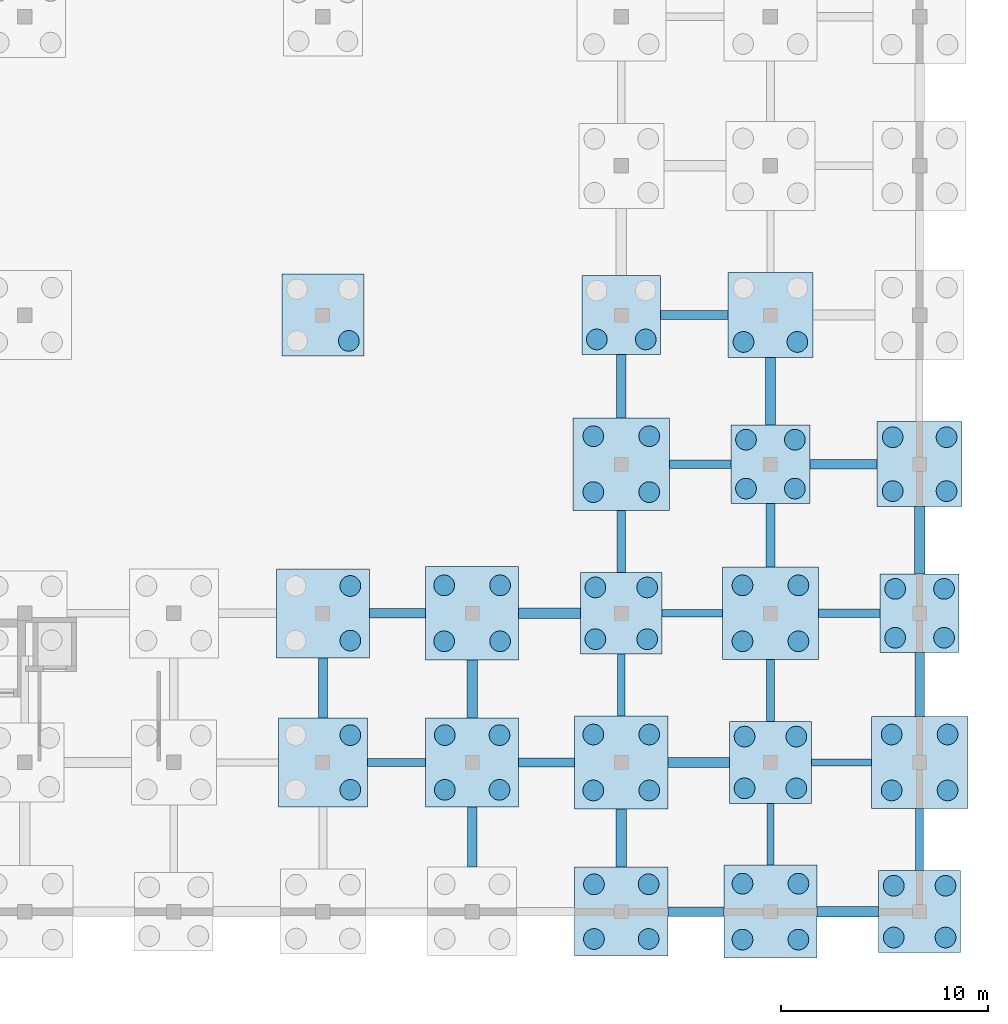
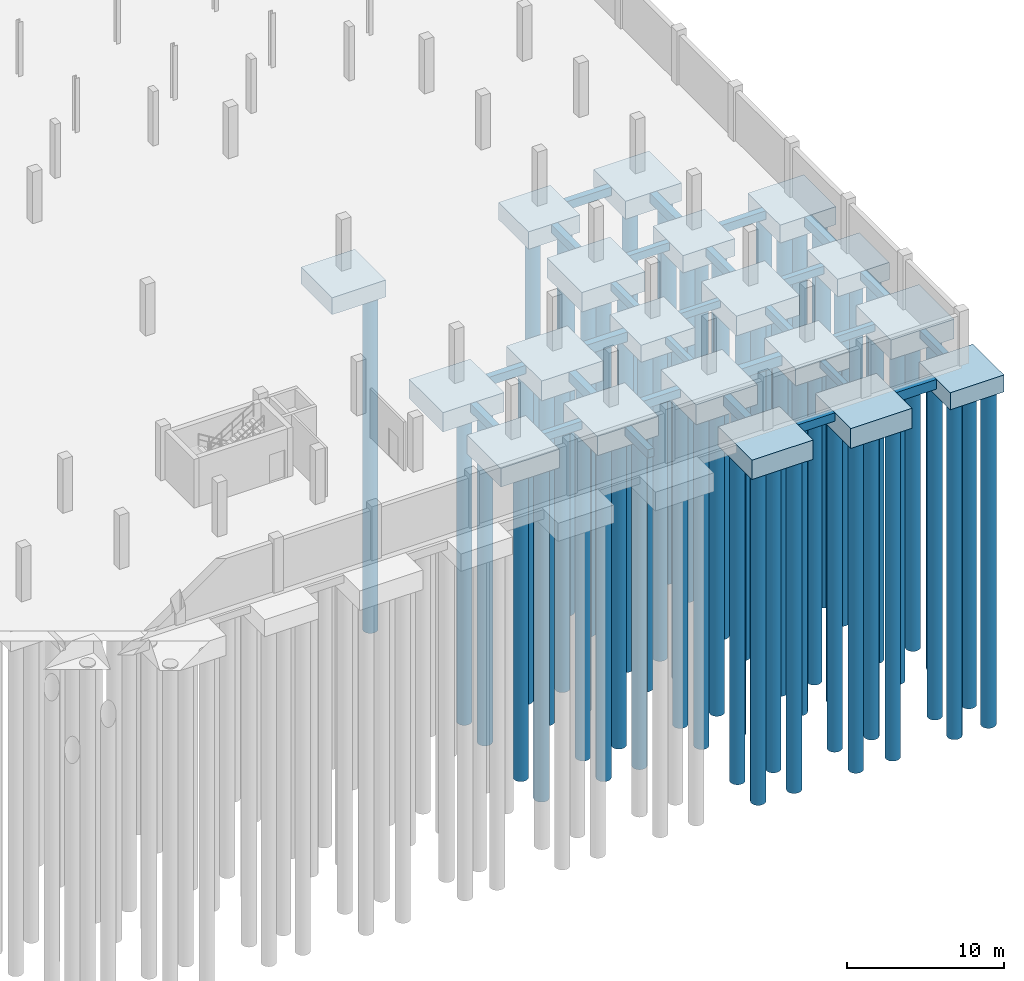
# One storey, part 13 of 56: 65 piles, 46 footings.
"""IFC4 building model written with IfcOpenShell, lengths in metres."""

from ifc_helpers import new_model, si_unit, direction, frame, origin, origin_2d, place, context, subcontext, project, spatial, rectangle, circle, extrude, material, material_profile, profile_set, type_object, element, save


model = new_model("IFC4")

# Units and contexts
model_context = context("Model", 3, precision=1e-05, world=origin(), true_north=direction((0.0, 1.0)))
body_context = subcontext(model_context, "Body", "Model", "MODEL_VIEW")
ifc_project = project(units=[si_unit("LENGTHUNIT", "METRE"), si_unit("AREAUNIT", "SQUARE_METRE"), si_unit("VOLUMEUNIT", "CUBIC_METRE"), si_unit("PLANEANGLEUNIT", "RADIAN"), si_unit("MASSUNIT", "GRAM", prefix="KILO")], contexts=[model_context])

# Site, building, storey
site_placement = place(None, origin())
site = spatial("IfcSite", under=ifc_project, at=site_placement, CompositionType="ELEMENT")
building_placement = place(site_placement, origin())
building = spatial("IfcBuilding", under=site, at=building_placement, Name="Suanplinth Sawtooth Commons", CompositionType="ELEMENT")
storey_placement = place(building_placement, frame((0.0, 0.0, -4.199951171875)))
storey = spatial("IfcBuildingStorey", under=building, at=storey_placement, Name="B1", CompositionType="ELEMENT", Elevation=-4.199951171875)

# Footings
ifc_material_1 = material(Name="Concrete C35/45", Category="concrete")
ifc_material_profile_1 = material_profile(ifc_material_1, rectangle(XDim=0.449951171875, YDim=0.64990234375, at=origin_2d()), Name="PC-GDR 450x650")
ifc_profile_set_1 = profile_set([ifc_material_profile_1], Name="Concrete C35/45")
footing_type_1 = type_object("IfcFootingType", Name="FB-01", PredefinedType="FOOTING_BEAM", material=ifc_profile_set_1)
footing_1_placement = place(storey_placement, frame((158.39990234375, 9.35009765625, -0.824951171875), z_axis=(0.0, 1.0, 0.0), x_axis=(-1.0, 0.0, 0.0)))
element("IfcFooting", 1, at=footing_1_placement, inside=storey, type_object=footing_type_1, Name="Foundation Tie Beam 23/B-C", PredefinedType="FOOTING_BEAM", context=body_context, shape_type="SweptSolid", body=[
    extrude(rectangle(XDim=0.449951171875, YDim=0.64990234375, at=origin_2d()), origin(), (0.0, 0.0, 1.0), 2.89990234375),
])
footing_2_placement = place(storey_placement, frame((160.64990234375, 14.39990234375, -0.824951171875), z_axis=(1.0, 0.0, 0.0), x_axis=(0.0, 1.0, 0.0)))
element("IfcFooting", 2, at=footing_2_placement, inside=storey, type_object=footing_type_1, Name="Foundation Tie Beam 23-24/C", PredefinedType="FOOTING_BEAM", context=body_context, shape_type="SweptSolid", body=[
    extrude(rectangle(XDim=0.449951171875, YDim=0.64990234375, at=origin_2d()), origin(), (0.0, 0.0, 1.0), 2.7001953125),
])
footing_3_placement = place(storey_placement, frame((165.60009765625, 2.14990234375, -0.824951171875), z_axis=(0.0, 1.0, 0.0), x_axis=(-1.0, 0.0, 0.0)))
element("IfcFooting", 3, at=footing_3_placement, inside=storey, type_object=footing_type_1, Name="Foundation Tie Beam 24/A-B", PredefinedType="FOOTING_BEAM", context=body_context, shape_type="SweptSolid", body=[
    extrude(rectangle(XDim=0.449951171875, YDim=0.64990234375, at=origin_2d()), origin(), (0.0, 0.0, 1.0), 2.900146484375),
])
for number, where, z_axis, x_axis, name in (
    (4, (167.85009765625, 7.199951171875, -0.824951171875), (1.0, 0.0, 0.0), (0.0, 1.0, 0.0), "Foundation Tie Beam 24-25/B"),
    (5, (175.050048828125, 0.0, -0.824951171875), (1.0, 0.0, 0.0), (0.0, 1.0, 0.0), "Foundation Tie Beam 25-26/A"),
):
    element("IfcFooting", number, at=place(storey_placement, frame(where, z_axis=z_axis, x_axis=x_axis)), inside=storey, type_object=footing_type_1, Name=name, PredefinedType="FOOTING_BEAM", context=body_context, shape_type="SweptSolid", body=[
        extrude(rectangle(XDim=0.449951171875, YDim=0.64990234375, at=origin_2d()), origin(), (0.0, 0.0, 1.0), 2.699951171875),
    ])
footing_4_placement = place(storey_placement, frame((172.800048828125, 23.824951171875, -0.824951171875), z_axis=(0.0, 1.0, 0.0), x_axis=(-1.0, 0.0, 0.0)))
element("IfcFooting", 6, at=footing_4_placement, inside=storey, type_object=footing_type_1, Name="Foundation Tie Beam 25/D-E", PredefinedType="FOOTING_BEAM", context=body_context, shape_type="SweptSolid", body=[
    extrude(rectangle(XDim=0.449951171875, YDim=0.64990234375, at=origin_2d()), origin(), (0.0, 0.0, 1.0), 3.074951171875),
])
footing_5_placement = place(storey_placement, frame((174.699951171875, 28.800048828125, -0.824951171875), z_axis=(1.0, 0.0, 0.0), x_axis=(0.0, 1.0, 0.0)))
element("IfcFooting", 7, at=footing_5_placement, inside=storey, type_object=footing_type_1, Name="Foundation Tie Beam 25-26/E", PredefinedType="FOOTING_BEAM", context=body_context, shape_type="SweptSolid", body=[
    extrude(rectangle(XDim=0.449951171875, YDim=0.64990234375, at=origin_2d()), origin(), (0.0, 0.0, 1.0), 3.25),
])
footing_6_placement = place(storey_placement, frame((180.0, 16.625, -0.824951171875), z_axis=(0.0, 1.0, 0.0), x_axis=(-1.0, 0.0, 0.0)))
element("IfcFooting", 8, at=footing_6_placement, inside=storey, type_object=footing_type_1, Name="Foundation Tie Beam 26/C-D", PredefinedType="FOOTING_BEAM", context=body_context, shape_type="SweptSolid", body=[
    extrude(rectangle(XDim=0.449951171875, YDim=0.64990234375, at=origin_2d()), origin(), (0.0, 0.0, 1.0), 3.074951171875),
])
footing_7_placement = place(storey_placement, frame((181.89990234375, 21.60009765625, -0.824951171875), z_axis=(1.0, 0.0, 0.0), x_axis=(0.0, 1.0, 0.0)))
element("IfcFooting", 9, at=footing_7_placement, inside=storey, type_object=footing_type_1, Name="Foundation Tie Beam 26-27/D", PredefinedType="FOOTING_BEAM", context=body_context, shape_type="SweptSolid", body=[
    extrude(rectangle(XDim=0.449951171875, YDim=0.64990234375, at=origin_2d()), origin(), (0.0, 0.0, 1.0), 3.25),
])
footing_8_placement = place(storey_placement, frame((187.199951171875, 9.425048828125, -0.824951171875), z_axis=(0.0, 1.0, 0.0), x_axis=(-1.0, 0.0, 0.0)))
element("IfcFooting", 10, at=footing_8_placement, inside=storey, type_object=footing_type_1, Name="Foundation Tie Beam 27/B-C", PredefinedType="FOOTING_BEAM", context=body_context, shape_type="SweptSolid", body=[
    extrude(rectangle(XDim=0.449951171875, YDim=0.64990234375, at=origin_2d()), origin(), (0.0, 0.0, 1.0), 3.074951171875),
])
ifc_material_profile_2 = material_profile(ifc_material_1, rectangle(XDim=0.5, YDim=0.75, at=origin_2d()), Name="RC-GDR 500x750")
ifc_profile_set_2 = profile_set([ifc_material_profile_2], Name="Concrete C35/45")
footing_type_2 = type_object("IfcFootingType", Name="FB-02", PredefinedType="FOOTING_BEAM", material=ifc_profile_set_2)
footing_9_placement = place(storey_placement, frame((165.60009765625, 9.35009765625, -0.875), z_axis=(0.0, 1.0, 0.0), x_axis=(-1.0, 0.0, 0.0)))
element("IfcFooting", 11, at=footing_9_placement, inside=storey, type_object=footing_type_2, Name="Foundation Tie Beam 24/B-C", PredefinedType="FOOTING_BEAM", context=body_context, shape_type="SweptSolid", body=[
    extrude(rectangle(XDim=0.5, YDim=0.75, at=origin_2d()), origin(), (0.0, 0.0, 1.0), 2.7998046875),
])
footing_10_placement = place(storey_placement, frame((167.85009765625, 14.39990234375, -0.875), z_axis=(1.0, 0.0, 0.0), x_axis=(0.0, 1.0, 0.0)))
element("IfcFooting", 12, at=footing_10_placement, inside=storey, type_object=footing_type_2, Name="Foundation Tie Beam 24-25/C", PredefinedType="FOOTING_BEAM", context=body_context, shape_type="SweptSolid", body=[
    extrude(rectangle(XDim=0.5, YDim=0.75, at=origin_2d()), origin(), (0.0, 0.0, 1.0), 2.974853515625),
])
footing_11_placement = place(storey_placement, frame((172.800048828125, 2.14990234375, -0.875), z_axis=(0.0, 1.0, 0.0), x_axis=(-1.0, 0.0, 0.0)))
element("IfcFooting", 13, at=footing_11_placement, inside=storey, type_object=footing_type_2, Name="Foundation Tie Beam 25/A-B", PredefinedType="FOOTING_BEAM", context=body_context, shape_type="SweptSolid", body=[
    extrude(rectangle(XDim=0.5, YDim=0.75, at=origin_2d()), origin(), (0.0, 0.0, 1.0), 2.800048828125),
])
footing_12_placement = place(storey_placement, frame((175.050048828125, 7.199951171875, -0.875), z_axis=(1.0, 0.0, 0.0), x_axis=(0.0, 1.0, 0.0)))
element("IfcFooting", 14, at=footing_12_placement, inside=storey, type_object=footing_type_2, Name="Foundation Tie Beam 25-26/B", PredefinedType="FOOTING_BEAM", context=body_context, shape_type="SweptSolid", body=[
    extrude(rectangle(XDim=0.5, YDim=0.75, at=origin_2d()), origin(), (0.0, 0.0, 1.0), 2.974853515625),
])
footing_13_placement = place(storey_placement, frame((182.25, 0.0, -0.875), z_axis=(1.0, 0.0, 0.0), x_axis=(0.0, 1.0, 0.0)))
element("IfcFooting", 15, at=footing_13_placement, inside=storey, type_object=footing_type_2, Name="Foundation Tie Beam 26-27/A", PredefinedType="FOOTING_BEAM", context=body_context, shape_type="SweptSolid", body=[
    extrude(rectangle(XDim=0.5, YDim=0.75, at=origin_2d()), origin(), (0.0, 0.0, 1.0), 2.97509765625),
])
for number, where, z_axis, x_axis, name in (
    (16, (180.0, 23.5, -0.875), (0.0, 1.0, 0.0), (-1.0, 0.0, 0.0), "Foundation Tie Beam 26/D-E"),
    (17, (187.199951171875, 16.300048828125, -0.875), (0.0, 1.0, 0.0), (-1.0, 0.0, 0.0), "Foundation Tie Beam 27/C-D"),
):
    element("IfcFooting", number, at=place(storey_placement, frame(where, z_axis=z_axis, x_axis=x_axis)), inside=storey, type_object=footing_type_2, Name=name, PredefinedType="FOOTING_BEAM", context=body_context, shape_type="SweptSolid", body=[
        extrude(rectangle(XDim=0.5, YDim=0.75, at=origin_2d()), origin(), (0.0, 0.0, 1.0), 3.25),
    ])
ifc_material_profile_3 = material_profile(ifc_material_1, rectangle(XDim=0.35009765625, YDim=0.550048828125, at=origin_2d()), Name="PC-BM 350x550")
ifc_profile_set_3 = profile_set([ifc_material_profile_3], Name="Concrete C35/45")
footing_type_3 = type_object("IfcFootingType", Name="FB-03", PredefinedType="FOOTING_BEAM", material=ifc_profile_set_3)
footing_14_placement = place(storey_placement, frame((172.800048828125, 9.449951171875, -0.775146484375), z_axis=(0.0, 1.0, 0.0), x_axis=(-1.0, 0.0, 0.0)))
element("IfcFooting", 18, at=footing_14_placement, inside=storey, type_object=footing_type_3, Name="Foundation Tie Beam 25/B-C", PredefinedType="FOOTING_BEAM", context=body_context, shape_type="SweptSolid", body=[
    extrude(rectangle(XDim=0.35009765625, YDim=0.550048828125, at=origin_2d()), origin(), (0.0, 0.0, 1.0), 2.97509765625),
])
footing_15_placement = place(storey_placement, frame((174.77490234375, 14.39990234375, -0.775146484375), z_axis=(1.0, 0.0, 0.0), x_axis=(0.0, 1.0, 0.0)))
element("IfcFooting", 19, at=footing_15_placement, inside=storey, type_object=footing_type_3, Name="Foundation Tie Beam 25-26/C", PredefinedType="FOOTING_BEAM", context=body_context, shape_type="SweptSolid", body=[
    extrude(rectangle(XDim=0.35009765625, YDim=0.550048828125, at=origin_2d()), origin(), (0.0, 0.0, 1.0), 2.900146484375),
])
footing_16_placement = place(storey_placement, frame((180.0, 2.25, -0.775146484375), z_axis=(0.0, 1.0, 0.0), x_axis=(-1.0, 0.0, 0.0)))
element("IfcFooting", 20, at=footing_16_placement, inside=storey, type_object=footing_type_3, Name="Foundation Tie Beam 26/A-B", PredefinedType="FOOTING_BEAM", context=body_context, shape_type="SweptSolid", body=[
    extrude(rectangle(XDim=0.35009765625, YDim=0.550048828125, at=origin_2d()), origin(), (0.0, 0.0, 1.0), 2.97509765625),
])
footing_17_placement = place(storey_placement, frame((181.97509765625, 7.199951171875, -0.775146484375), z_axis=(1.0, 0.0, 0.0), x_axis=(0.0, 1.0, 0.0)))
element("IfcFooting", 21, at=footing_17_placement, inside=storey, type_object=footing_type_3, Name="Foundation Tie Beam 26-27/B", PredefinedType="FOOTING_BEAM", context=body_context, shape_type="SweptSolid", body=[
    extrude(rectangle(XDim=0.35009765625, YDim=0.550048828125, at=origin_2d()), origin(), (0.0, 0.0, 1.0), 2.89990234375),
])
ifc_material_profile_4 = material_profile(ifc_material_1, rectangle(XDim=0.39990234375, YDim=0.60009765625, at=origin_2d()), Name="PC-GDR 400x600")
ifc_profile_set_4 = profile_set([ifc_material_profile_4], Name="Concrete C35/45")
footing_type_4 = type_object("IfcFootingType", Name="FB-04", PredefinedType="FOOTING_BEAM", material=ifc_profile_set_4)
footing_18_placement = place(storey_placement, frame((160.550048828125, 7.199951171875, -0.800048828125), z_axis=(1.0, 0.0, 0.0), x_axis=(0.0, 1.0, 0.0)))
element("IfcFooting", 22, at=footing_18_placement, inside=storey, type_object=footing_type_4, Name="Foundation Tie Beam 23-24/B", PredefinedType="FOOTING_BEAM", context=body_context, shape_type="SweptSolid", body=[
    extrude(rectangle(XDim=0.39990234375, YDim=0.60009765625, at=origin_2d()), origin(), (0.0, 0.0, 1.0), 2.800048828125),
])
footing_19_placement = place(storey_placement, frame((172.800048828125, 16.375, -0.800048828125), z_axis=(0.0, 1.0, 0.0), x_axis=(-1.0, 0.0, 0.0)))
element("IfcFooting", 23, at=footing_19_placement, inside=storey, type_object=footing_type_4, Name="Foundation Tie Beam 25/C-D", PredefinedType="FOOTING_BEAM", context=body_context, shape_type="SweptSolid", body=[
    extrude(rectangle(XDim=0.39990234375, YDim=0.60009765625, at=origin_2d()), origin(), (0.0, 0.0, 1.0), 3.0),
])
footing_20_placement = place(storey_placement, frame((175.125, 21.60009765625, -0.800048828125), z_axis=(1.0, 0.0, 0.0), x_axis=(0.0, 1.0, 0.0)))
element("IfcFooting", 24, at=footing_20_placement, inside=storey, type_object=footing_type_4, Name="Foundation Tie Beam 25-26/D", PredefinedType="FOOTING_BEAM", context=body_context, shape_type="SweptSolid", body=[
    extrude(rectangle(XDim=0.39990234375, YDim=0.60009765625, at=origin_2d()), origin(), (0.0, 0.0, 1.0), 2.97509765625),
])
footing_21_placement = place(storey_placement, frame((180.0, 9.175048828125, -0.800048828125), z_axis=(0.0, 1.0, 0.0), x_axis=(-1.0, 0.0, 0.0)))
element("IfcFooting", 25, at=footing_21_placement, inside=storey, type_object=footing_type_4, Name="Foundation Tie Beam 26/B-C", PredefinedType="FOOTING_BEAM", context=body_context, shape_type="SweptSolid", body=[
    extrude(rectangle(XDim=0.39990234375, YDim=0.60009765625, at=origin_2d()), origin(), (0.0, 0.0, 1.0), 3.0),
])
footing_22_placement = place(storey_placement, frame((182.324951171875, 14.39990234375, -0.800048828125), z_axis=(1.0, 0.0, 0.0), x_axis=(0.0, 1.0, 0.0)))
element("IfcFooting", 26, at=footing_22_placement, inside=storey, type_object=footing_type_4, Name="Foundation Tie Beam 26-27/C", PredefinedType="FOOTING_BEAM", context=body_context, shape_type="SweptSolid", body=[
    extrude(rectangle(XDim=0.39990234375, YDim=0.60009765625, at=origin_2d()), origin(), (0.0, 0.0, 1.0), 2.97509765625),
])
footing_23_placement = place(storey_placement, frame((187.199951171875, 1.97509765625, -0.800048828125), z_axis=(0.0, 1.0, 0.0), x_axis=(-1.0, 0.0, 0.0)))
element("IfcFooting", 27, at=footing_23_placement, inside=storey, type_object=footing_type_4, Name="Foundation Tie Beam 27/A-B", PredefinedType="FOOTING_BEAM", context=body_context, shape_type="SweptSolid", body=[
    extrude(rectangle(XDim=0.39990234375, YDim=0.60009765625, at=origin_2d()), origin(), (0.0, 0.0, 1.0), 3.0),
])
footing_type_5 = type_object("IfcFootingType", Name="FC-06", PredefinedType="PILE_CAP", material=ifc_material_1)
for number, where, z_axis, x_axis, name in (
    (28, (172.800048828125, 28.800048828125, -1.85009765625), (0.0, 0.0, 1.0), (1.0, 0.0, 0.0), "Pile Cap 25/E"),
    (29, (180.0, 21.60009765625, -1.85009765625), (0.0, 0.0, 1.0), (1.0, 0.0, 0.0), "Pile Cap 26/D"),
    (30, (187.199951171875, 14.39990234375, -1.85009765625), (0.0, 0.0, 1.0), (1.0, 0.0, 0.0), "Pile Cap 27/C"),
):
    element("IfcFooting", number, at=place(storey_placement, frame(where, z_axis=z_axis, x_axis=x_axis)), inside=storey, type_object=footing_type_5, Name=name, PredefinedType="PILE_CAP", context=body_context, shape_type="SweptSolid", body=[
        extrude(rectangle(XDim=3.800048828125, YDim=3.800048828125, at=origin_2d()), origin(), (0.0, 0.0, 1.0), 1.35009765625),
    ])
footing_type_6 = type_object("IfcFootingType", Name="FC-07", PredefinedType="PILE_CAP", material=ifc_material_1)
for number, where, z_axis, x_axis, name in (
    (31, (180.0, 28.800048828125, -1.89990234375), (0.0, 0.0, 1.0), (1.0, 0.0, 0.0), "Pile Cap 26/E"),
    (32, (187.199951171875, 21.60009765625, -1.89990234375), (0.0, 0.0, 1.0), (1.0, 0.0, 0.0), "Pile Cap 27/D"),
):
    element("IfcFooting", number, at=place(storey_placement, frame(where, z_axis=z_axis, x_axis=x_axis)), inside=storey, type_object=footing_type_6, Name=name, PredefinedType="PILE_CAP", context=body_context, shape_type="SweptSolid", body=[
        extrude(rectangle(XDim=4.10009765625, YDim=4.10009765625, at=origin_2d()), origin(), (0.0, 0.0, 1.0), 1.39990234375),
    ])
footing_type_7 = type_object("IfcFootingType", Name="FC-08", PredefinedType="PILE_CAP", material=ifc_material_1)
footing_24_placement = place(storey_placement, frame((158.39990234375, 7.199951171875, -1.9501953125), z_axis=(0.0, 0.0, 1.0), x_axis=(1.0, 0.0, 0.0)))
element("IfcFooting", 33, at=footing_24_placement, inside=storey, type_object=footing_type_7, Name="Pile Cap 23/B", PredefinedType="PILE_CAP", context=body_context, shape_type="SweptSolid", body=[
    extrude(rectangle(XDim=4.300048828125, YDim=4.300048828125, at=origin_2d()), origin(), (0.0, 0.0, 1.0), 1.449951171875),
])
footing_type_8 = type_object("IfcFootingType", Name="FC-09", PredefinedType="PILE_CAP", material=ifc_material_1)
for number, where, z_axis, x_axis, name in (
    (34, (158.39990234375, 14.39990234375, -2.0), (0.0, 0.0, 1.0), (1.0, 0.0, 0.0), "Pile Cap 23/C"),
    (35, (165.60009765625, 7.199951171875, -2.0), (0.0, 0.0, 1.0), (1.0, 0.0, 0.0), "Pile Cap 24/B"),
    (36, (172.800048828125, 0.0, -2.0), (0.0, 0.0, 1.0), (1.0, 0.0, 0.0), "Pile Cap 25/A"),
):
    element("IfcFooting", number, at=place(storey_placement, frame(where, z_axis=z_axis, x_axis=x_axis)), inside=storey, type_object=footing_type_8, Name=name, PredefinedType="PILE_CAP", context=body_context, shape_type="SweptSolid", body=[
        extrude(rectangle(XDim=4.5, YDim=4.300048828125, at=origin_2d()), origin(), (0.0, 0.0, 1.0), 1.5),
    ])
footing_type_9 = type_object("IfcFootingType", Name="FC-10", PredefinedType="PILE_CAP", material=ifc_material_1)
for number, where, z_axis, x_axis, name in (
    (37, (165.60009765625, 14.39990234375, -2.05029296875), (0.0, 0.0, 1.0), (1.0, 0.0, 0.0), "Pile Cap 24/C"),
    (38, (172.800048828125, 7.199951171875, -2.05029296875), (0.0, 0.0, 1.0), (1.0, 0.0, 0.0), "Pile Cap 25/B"),
    (39, (180.0, 0.0, -2.05029296875), (0.0, 0.0, 1.0), (1.0, 0.0, 0.0), "Pile Cap 26/A"),
):
    element("IfcFooting", number, at=place(storey_placement, frame(where, z_axis=z_axis, x_axis=x_axis)), inside=storey, type_object=footing_type_9, Name=name, PredefinedType="PILE_CAP", context=body_context, shape_type="SweptSolid", body=[
        extrude(rectangle(XDim=4.5, YDim=4.5, at=origin_2d()), origin(), (0.0, 0.0, 1.0), 1.550048828125),
    ])
footing_type_10 = type_object("IfcFootingType", Name="FC-15", PredefinedType="PILE_CAP", material=ifc_material_1)
for number, where, z_axis, x_axis, name in (
    (40, (158.39990234375, 28.800048828125, -1.8203125), (0.0, 0.0, 1.0), (1.0, 0.0, 0.0), "Pile Cap 23/E"),
    (41, (172.800048828125, 14.39990234375, -1.8203125), (0.0, 0.0, 1.0), (1.0, 0.0, 0.0), "Pile Cap 25/C"),
    (42, (180.0, 7.199951171875, -1.8203125), (0.0, 0.0, 1.0), (1.0, 0.0, 0.0), "Pile Cap 26/B"),
    (43, (187.199951171875, 0.0, -1.8203125), (0.0, 0.0, 1.0), (1.0, 0.0, 0.0), "Pile Cap 27/A"),
):
    element("IfcFooting", number, at=place(storey_placement, frame(where, z_axis=z_axis, x_axis=x_axis)), inside=storey, type_object=footing_type_10, Name=name, PredefinedType="PILE_CAP", context=body_context, shape_type="SweptSolid", body=[
        extrude(rectangle(XDim=3.949951171875, YDim=3.949951171875, at=origin_2d()), origin(), (0.0, 0.0, 1.0), 1.320068359375),
    ])
footing_type_11 = type_object("IfcFootingType", Name="FC-16", PredefinedType="PILE_CAP", material=ifc_material_1)
for number, where, z_axis, x_axis, name in (
    (44, (172.800048828125, 21.60009765625, -2.02001953125), (0.0, 0.0, 1.0), (1.0, 0.0, 0.0), "Pile Cap 25/D"),
    (45, (180.0, 14.39990234375, -2.02001953125), (0.0, 0.0, 1.0), (1.0, 0.0, 0.0), "Pile Cap 26/C"),
    (46, (187.199951171875, 7.199951171875, -2.02001953125), (0.0, 0.0, 1.0), (1.0, 0.0, 0.0), "Pile Cap 27/B"),
):
    element("IfcFooting", number, at=place(storey_placement, frame(where, z_axis=z_axis, x_axis=x_axis)), inside=storey, type_object=footing_type_11, Name=name, PredefinedType="PILE_CAP", context=body_context, shape_type="SweptSolid", body=[
        extrude(rectangle(XDim=4.64990234375, YDim=4.449951171875, at=origin_2d()), origin(), (0.0, 0.0, 1.0), 1.52001953125),
    ])

# Piles
ifc_material_2 = material(Name="Concrete C32/40", Category="concrete")
ifc_material_profile_5 = material_profile(ifc_material_2, circle(Radius=0.5, at=origin_2d()), Name="PILE D1000")
ifc_profile_set_5 = profile_set([ifc_material_profile_5], Name="Concrete C32/40")
pile_type = type_object("IfcPileType", Name="P-02", PredefinedType="BORED", material=ifc_profile_set_5)
for number, where, z_axis, x_axis, name in (
    (47, (159.719970703125, 5.8798828125, -1.85009765625), (0.0, 0.0, -1.0), (1.0, 0.0, 0.0), "Bored Pile 23/B-2"),
    (48, (159.719970703125, 8.52001953125, -1.85009765625), (0.0, 0.0, -1.0), (1.0, 0.0, 0.0), "Bored Pile 23/B-4"),
):
    element("IfcPile", number, at=place(storey_placement, frame(where, z_axis=z_axis, x_axis=x_axis)), inside=storey, type_object=pile_type, Name=name, PredefinedType="BORED", context=body_context, shape_type="SweptSolid", body=[
        extrude(circle(Radius=0.5, at=origin_2d()), origin(), (0.0, 0.0, 1.0), 25.949951171875),
    ])
for number, where, z_axis, x_axis, name in (
    (49, (159.719970703125, 13.080078125, -1.900146484375), (0.0, 0.0, -1.0), (1.0, 0.0, 0.0), "Bored Pile 23/C-2"),
    (50, (159.719970703125, 15.719970703125, -1.900146484375), (0.0, 0.0, -1.0), (1.0, 0.0, 0.0), "Bored Pile 23/C-4"),
):
    element("IfcPile", number, at=place(storey_placement, frame(where, z_axis=z_axis, x_axis=x_axis)), inside=storey, type_object=pile_type, Name=name, PredefinedType="BORED", context=body_context, shape_type="SweptSolid", body=[
        extrude(circle(Radius=0.5, at=origin_2d()), origin(), (0.0, 0.0, 1.0), 25.89990234375),
    ])
pile_placement = place(storey_placement, frame((159.64990234375, 27.550048828125, -1.719970703125), z_axis=(0.0, 0.0, -1.0), x_axis=(1.0, 0.0, 0.0)))
element("IfcPile", 51, at=pile_placement, inside=storey, type_object=pile_type, Name="Bored Pile 23/E-2", PredefinedType="BORED", context=body_context, shape_type="SweptSolid", body=[
    extrude(circle(Radius=0.5, at=origin_2d()), origin(), (0.0, 0.0, 1.0), 26.080078125),
])
for number, where, z_axis, x_axis, name in (
    (52, (164.280029296875, 5.8798828125, -1.900146484375), (0.0, 0.0, -1.0), (1.0, 0.0, 0.0), "Bored Pile 24/B-1"),
    (53, (166.919921875, 5.8798828125, -1.900146484375), (0.0, 0.0, -1.0), (1.0, 0.0, 0.0), "Bored Pile 24/B-2"),
    (54, (164.280029296875, 8.52001953125, -1.900146484375), (0.0, 0.0, -1.0), (1.0, 0.0, 0.0), "Bored Pile 24/B-3"),
    (55, (166.919921875, 8.52001953125, -1.900146484375), (0.0, 0.0, -1.0), (1.0, 0.0, 0.0), "Bored Pile 24/B-4"),
):
    element("IfcPile", number, at=place(storey_placement, frame(where, z_axis=z_axis, x_axis=x_axis)), inside=storey, type_object=pile_type, Name=name, PredefinedType="BORED", context=body_context, shape_type="SweptSolid", body=[
        extrude(circle(Radius=0.5, at=origin_2d()), origin(), (0.0, 0.0, 1.0), 25.89990234375),
    ])
for number, where, z_axis, x_axis, name in (
    (56, (164.25, 13.050048828125, -1.949951171875), (0.0, 0.0, -1.0), (1.0, 0.0, 0.0), "Bored Pile 24/C-1"),
    (57, (166.949951171875, 13.050048828125, -1.949951171875), (0.0, 0.0, -1.0), (1.0, 0.0, 0.0), "Bored Pile 24/C-2"),
    (58, (164.25, 15.75, -1.949951171875), (0.0, 0.0, -1.0), (1.0, 0.0, 0.0), "Bored Pile 24/C-3"),
    (59, (166.949951171875, 15.75, -1.949951171875), (0.0, 0.0, -1.0), (1.0, 0.0, 0.0), "Bored Pile 24/C-4"),
):
    element("IfcPile", number, at=place(storey_placement, frame(where, z_axis=z_axis, x_axis=x_axis)), inside=storey, type_object=pile_type, Name=name, PredefinedType="BORED", context=body_context, shape_type="SweptSolid", body=[
        extrude(circle(Radius=0.5, at=origin_2d()), origin(), (0.0, 0.0, 1.0), 25.85009765625),
    ])
for number, where, z_axis, x_axis, name in (
    (60, (171.47998046875, -1.320068359375, -1.900146484375), (0.0, 0.0, -1.0), (1.0, 0.0, 0.0), "Bored Pile 25/A-1"),
    (61, (174.1201171875, -1.320068359375, -1.900146484375), (0.0, 0.0, -1.0), (1.0, 0.0, 0.0), "Bored Pile 25/A-2"),
    (62, (171.47998046875, 1.320068359375, -1.900146484375), (0.0, 0.0, -1.0), (1.0, 0.0, 0.0), "Bored Pile 25/A-3"),
    (63, (174.1201171875, 1.320068359375, -1.900146484375), (0.0, 0.0, -1.0), (1.0, 0.0, 0.0), "Bored Pile 25/A-4"),
):
    element("IfcPile", number, at=place(storey_placement, frame(where, z_axis=z_axis, x_axis=x_axis)), inside=storey, type_object=pile_type, Name=name, PredefinedType="BORED", context=body_context, shape_type="SweptSolid", body=[
        extrude(circle(Radius=0.5, at=origin_2d()), origin(), (0.0, 0.0, 1.0), 25.89990234375),
    ])
for number, where, z_axis, x_axis, name in (
    (64, (171.449951171875, 5.85009765625, -1.949951171875), (0.0, 0.0, -1.0), (1.0, 0.0, 0.0), "Bored Pile 25/B-1"),
    (65, (174.14990234375, 5.85009765625, -1.949951171875), (0.0, 0.0, -1.0), (1.0, 0.0, 0.0), "Bored Pile 25/B-2"),
    (66, (171.449951171875, 8.550048828125, -1.949951171875), (0.0, 0.0, -1.0), (1.0, 0.0, 0.0), "Bored Pile 25/B-3"),
    (67, (174.14990234375, 8.550048828125, -1.949951171875), (0.0, 0.0, -1.0), (1.0, 0.0, 0.0), "Bored Pile 25/B-4"),
):
    element("IfcPile", number, at=place(storey_placement, frame(where, z_axis=z_axis, x_axis=x_axis)), inside=storey, type_object=pile_type, Name=name, PredefinedType="BORED", context=body_context, shape_type="SweptSolid", body=[
        extrude(circle(Radius=0.5, at=origin_2d()), origin(), (0.0, 0.0, 1.0), 25.85009765625),
    ])
for number, where, z_axis, x_axis, name in (
    (68, (171.550048828125, 13.14990234375, -1.719970703125), (0.0, 0.0, -1.0), (1.0, 0.0, 0.0), "Bored Pile 25/C-1"),
    (69, (174.050048828125, 13.14990234375, -1.719970703125), (0.0, 0.0, -1.0), (1.0, 0.0, 0.0), "Bored Pile 25/C-2"),
    (70, (171.550048828125, 15.64990234375, -1.719970703125), (0.0, 0.0, -1.0), (1.0, 0.0, 0.0), "Bored Pile 25/C-3"),
    (71, (174.050048828125, 15.64990234375, -1.719970703125), (0.0, 0.0, -1.0), (1.0, 0.0, 0.0), "Bored Pile 25/C-4"),
):
    element("IfcPile", number, at=place(storey_placement, frame(where, z_axis=z_axis, x_axis=x_axis)), inside=storey, type_object=pile_type, Name=name, PredefinedType="BORED", context=body_context, shape_type="SweptSolid", body=[
        extrude(circle(Radius=0.5, at=origin_2d()), origin(), (0.0, 0.0, 1.0), 26.080078125),
    ])
for number, where, z_axis, x_axis, name in (
    (72, (171.449951171875, 20.25, -1.920166015625), (0.0, 0.0, -1.0), (1.0, 0.0, 0.0), "Bored Pile 25/D-1"),
    (73, (174.14990234375, 20.25, -1.920166015625), (0.0, 0.0, -1.0), (1.0, 0.0, 0.0), "Bored Pile 25/D-2"),
    (74, (171.449951171875, 22.949951171875, -1.920166015625), (0.0, 0.0, -1.0), (1.0, 0.0, 0.0), "Bored Pile 25/D-3"),
    (75, (174.14990234375, 22.949951171875, -1.920166015625), (0.0, 0.0, -1.0), (1.0, 0.0, 0.0), "Bored Pile 25/D-4"),
):
    element("IfcPile", number, at=place(storey_placement, frame(where, z_axis=z_axis, x_axis=x_axis)), inside=storey, type_object=pile_type, Name=name, PredefinedType="BORED", context=body_context, shape_type="SweptSolid", body=[
        extrude(circle(Radius=0.5, at=origin_2d()), origin(), (0.0, 0.0, 1.0), 25.8798828125),
    ])
for number, where, z_axis, x_axis, name in (
    (76, (171.6201171875, 27.6201171875, -1.75), (0.0, 0.0, -1.0), (1.0, 0.0, 0.0), "Bored Pile 25/E-1"),
    (77, (173.97998046875, 27.6201171875, -1.75), (0.0, 0.0, -1.0), (1.0, 0.0, 0.0), "Bored Pile 25/E-2"),
):
    element("IfcPile", number, at=place(storey_placement, frame(where, z_axis=z_axis, x_axis=x_axis)), inside=storey, type_object=pile_type, Name=name, PredefinedType="BORED", context=body_context, shape_type="SweptSolid", body=[
        extrude(circle(Radius=0.5, at=origin_2d()), origin(), (0.0, 0.0, 1.0), 26.050048828125),
    ])
for number, where, z_axis, x_axis, name in (
    (78, (178.64990234375, -1.35009765625, -1.949951171875), (0.0, 0.0, -1.0), (1.0, 0.0, 0.0), "Bored Pile 26/A-1"),
    (79, (181.35009765625, -1.35009765625, -1.949951171875), (0.0, 0.0, -1.0), (1.0, 0.0, 0.0), "Bored Pile 26/A-2"),
    (80, (178.64990234375, 1.35009765625, -1.949951171875), (0.0, 0.0, -1.0), (1.0, 0.0, 0.0), "Bored Pile 26/A-3"),
    (81, (181.35009765625, 1.35009765625, -1.949951171875), (0.0, 0.0, -1.0), (1.0, 0.0, 0.0), "Bored Pile 26/A-4"),
):
    element("IfcPile", number, at=place(storey_placement, frame(where, z_axis=z_axis, x_axis=x_axis)), inside=storey, type_object=pile_type, Name=name, PredefinedType="BORED", context=body_context, shape_type="SweptSolid", body=[
        extrude(circle(Radius=0.5, at=origin_2d()), origin(), (0.0, 0.0, 1.0), 25.85009765625),
    ])
for number, where, z_axis, x_axis, name in (
    (82, (178.75, 5.949951171875, -1.719970703125), (0.0, 0.0, -1.0), (1.0, 0.0, 0.0), "Bored Pile 26/B-1"),
    (83, (181.25, 5.949951171875, -1.719970703125), (0.0, 0.0, -1.0), (1.0, 0.0, 0.0), "Bored Pile 26/B-2"),
    (84, (178.75, 8.449951171875, -1.719970703125), (0.0, 0.0, -1.0), (1.0, 0.0, 0.0), "Bored Pile 26/B-3"),
    (85, (181.25, 8.449951171875, -1.719970703125), (0.0, 0.0, -1.0), (1.0, 0.0, 0.0), "Bored Pile 26/B-4"),
):
    element("IfcPile", number, at=place(storey_placement, frame(where, z_axis=z_axis, x_axis=x_axis)), inside=storey, type_object=pile_type, Name=name, PredefinedType="BORED", context=body_context, shape_type="SweptSolid", body=[
        extrude(circle(Radius=0.5, at=origin_2d()), origin(), (0.0, 0.0, 1.0), 26.080078125),
    ])
for number, where, z_axis, x_axis, name in (
    (86, (178.64990234375, 13.050048828125, -1.920166015625), (0.0, 0.0, -1.0), (1.0, 0.0, 0.0), "Bored Pile 26/C-1"),
    (87, (181.35009765625, 13.050048828125, -1.920166015625), (0.0, 0.0, -1.0), (1.0, 0.0, 0.0), "Bored Pile 26/C-2"),
    (88, (178.64990234375, 15.75, -1.920166015625), (0.0, 0.0, -1.0), (1.0, 0.0, 0.0), "Bored Pile 26/C-3"),
    (89, (181.35009765625, 15.75, -1.920166015625), (0.0, 0.0, -1.0), (1.0, 0.0, 0.0), "Bored Pile 26/C-4"),
):
    element("IfcPile", number, at=place(storey_placement, frame(where, z_axis=z_axis, x_axis=x_axis)), inside=storey, type_object=pile_type, Name=name, PredefinedType="BORED", context=body_context, shape_type="SweptSolid", body=[
        extrude(circle(Radius=0.5, at=origin_2d()), origin(), (0.0, 0.0, 1.0), 25.8798828125),
    ])
for number, where, z_axis, x_axis, name in (
    (90, (178.820068359375, 20.419921875, -1.75), (0.0, 0.0, -1.0), (1.0, 0.0, 0.0), "Bored Pile 26/D-1"),
    (91, (181.179931640625, 20.419921875, -1.75), (0.0, 0.0, -1.0), (1.0, 0.0, 0.0), "Bored Pile 26/D-2"),
    (92, (178.820068359375, 22.780029296875, -1.75), (0.0, 0.0, -1.0), (1.0, 0.0, 0.0), "Bored Pile 26/D-3"),
    (93, (181.179931640625, 22.780029296875, -1.75), (0.0, 0.0, -1.0), (1.0, 0.0, 0.0), "Bored Pile 26/D-4"),
):
    element("IfcPile", number, at=place(storey_placement, frame(where, z_axis=z_axis, x_axis=x_axis)), inside=storey, type_object=pile_type, Name=name, PredefinedType="BORED", context=body_context, shape_type="SweptSolid", body=[
        extrude(circle(Radius=0.5, at=origin_2d()), origin(), (0.0, 0.0, 1.0), 26.050048828125),
    ])
for number, where, z_axis, x_axis, name in (
    (94, (178.699951171875, 27.5, -1.800048828125), (0.0, 0.0, -1.0), (1.0, 0.0, 0.0), "Bored Pile 26/E-1"),
    (95, (181.300048828125, 27.5, -1.800048828125), (0.0, 0.0, -1.0), (1.0, 0.0, 0.0), "Bored Pile 26/E-2"),
):
    element("IfcPile", number, at=place(storey_placement, frame(where, z_axis=z_axis, x_axis=x_axis)), inside=storey, type_object=pile_type, Name=name, PredefinedType="BORED", context=body_context, shape_type="SweptSolid", body=[
        extrude(circle(Radius=0.5, at=origin_2d()), origin(), (0.0, 0.0, 1.0), 26.0),
    ])
for number, where, z_axis, x_axis, name in (
    (96, (185.949951171875, -1.25, -1.719970703125), (0.0, 0.0, -1.0), (1.0, 0.0, 0.0), "Bored Pile 27/A-1"),
    (97, (188.449951171875, -1.25, -1.719970703125), (0.0, 0.0, -1.0), (1.0, 0.0, 0.0), "Bored Pile 27/A-2"),
    (98, (185.949951171875, 1.25, -1.719970703125), (0.0, 0.0, -1.0), (1.0, 0.0, 0.0), "Bored Pile 27/A-3"),
    (99, (188.449951171875, 1.25, -1.719970703125), (0.0, 0.0, -1.0), (1.0, 0.0, 0.0), "Bored Pile 27/A-4"),
):
    element("IfcPile", number, at=place(storey_placement, frame(where, z_axis=z_axis, x_axis=x_axis)), inside=storey, type_object=pile_type, Name=name, PredefinedType="BORED", context=body_context, shape_type="SweptSolid", body=[
        extrude(circle(Radius=0.5, at=origin_2d()), origin(), (0.0, 0.0, 1.0), 26.080078125),
    ])
for number, where, z_axis, x_axis, name in (
    (100, (185.85009765625, 5.85009765625, -1.920166015625), (0.0, 0.0, -1.0), (1.0, 0.0, 0.0), "Bored Pile 27/B-1"),
    (101, (188.550048828125, 5.85009765625, -1.920166015625), (0.0, 0.0, -1.0), (1.0, 0.0, 0.0), "Bored Pile 27/B-2"),
    (102, (185.85009765625, 8.550048828125, -1.920166015625), (0.0, 0.0, -1.0), (1.0, 0.0, 0.0), "Bored Pile 27/B-3"),
    (103, (188.550048828125, 8.550048828125, -1.920166015625), (0.0, 0.0, -1.0), (1.0, 0.0, 0.0), "Bored Pile 27/B-4"),
):
    element("IfcPile", number, at=place(storey_placement, frame(where, z_axis=z_axis, x_axis=x_axis)), inside=storey, type_object=pile_type, Name=name, PredefinedType="BORED", context=body_context, shape_type="SweptSolid", body=[
        extrude(circle(Radius=0.5, at=origin_2d()), origin(), (0.0, 0.0, 1.0), 25.8798828125),
    ])
for number, where, z_axis, x_axis, name in (
    (104, (186.02001953125, 13.219970703125, -1.75), (0.0, 0.0, -1.0), (1.0, 0.0, 0.0), "Bored Pile 27/C-1"),
    (105, (188.3798828125, 13.219970703125, -1.75), (0.0, 0.0, -1.0), (1.0, 0.0, 0.0), "Bored Pile 27/C-2"),
    (106, (186.02001953125, 15.580078125, -1.75), (0.0, 0.0, -1.0), (1.0, 0.0, 0.0), "Bored Pile 27/C-3"),
    (107, (188.3798828125, 15.580078125, -1.75), (0.0, 0.0, -1.0), (1.0, 0.0, 0.0), "Bored Pile 27/C-4"),
):
    element("IfcPile", number, at=place(storey_placement, frame(where, z_axis=z_axis, x_axis=x_axis)), inside=storey, type_object=pile_type, Name=name, PredefinedType="BORED", context=body_context, shape_type="SweptSolid", body=[
        extrude(circle(Radius=0.5, at=origin_2d()), origin(), (0.0, 0.0, 1.0), 26.050048828125),
    ])
for number, where, z_axis, x_axis, name in (
    (108, (185.89990234375, 20.300048828125, -1.800048828125), (0.0, 0.0, -1.0), (1.0, 0.0, 0.0), "Bored Pile 27/D-1"),
    (109, (188.5, 20.300048828125, -1.800048828125), (0.0, 0.0, -1.0), (1.0, 0.0, 0.0), "Bored Pile 27/D-2"),
    (110, (185.89990234375, 22.89990234375, -1.800048828125), (0.0, 0.0, -1.0), (1.0, 0.0, 0.0), "Bored Pile 27/D-3"),
    (111, (188.5, 22.89990234375, -1.800048828125), (0.0, 0.0, -1.0), (1.0, 0.0, 0.0), "Bored Pile 27/D-4"),
):
    element("IfcPile", number, at=place(storey_placement, frame(where, z_axis=z_axis, x_axis=x_axis)), inside=storey, type_object=pile_type, Name=name, PredefinedType="BORED", context=body_context, shape_type="SweptSolid", body=[
        extrude(circle(Radius=0.5, at=origin_2d()), origin(), (0.0, 0.0, 1.0), 26.0),
    ])

save(model, "model.ifc")
